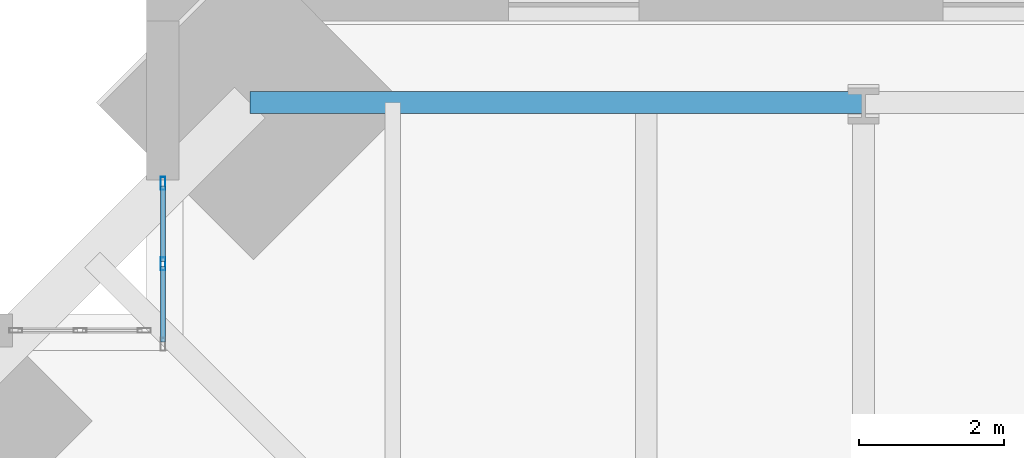
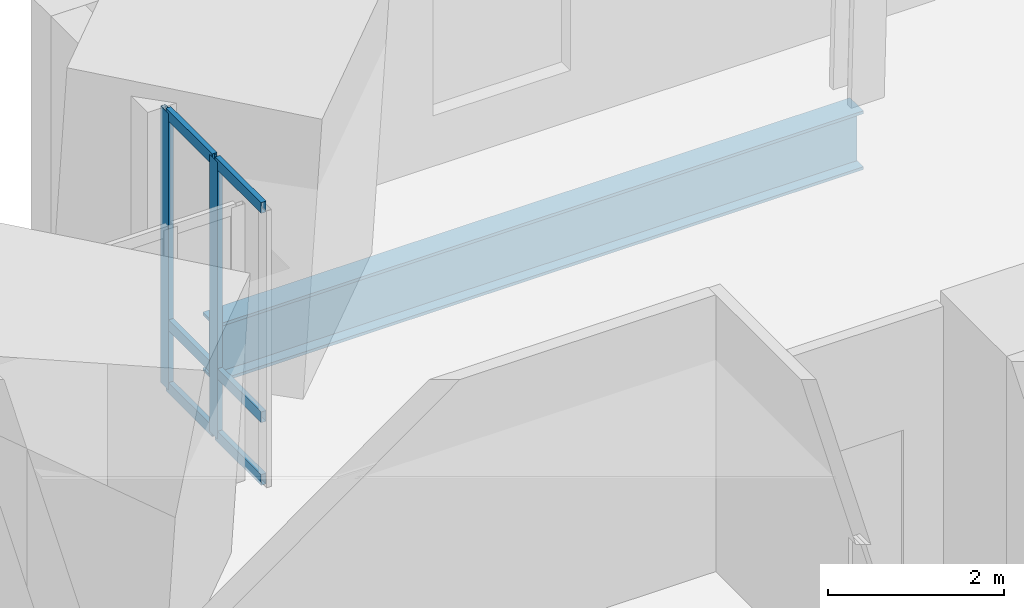
# One storey, part 8 of 18: 8 members, 1 beam, 1 element without a shape of its own.
"""IFC4 building model written with IfcOpenShell, lengths in metres."""

from ifc_helpers import new_model, si_unit, direction, frame, origin, origin_2d, place, context, subcontext, project, spatial, hollow_rectangle, i_section, extrude, material, material_profile, profile_set, type_object, element, aggregate, save


model = new_model("IFC4")

# Units and contexts
model_context = context("Model", 3, precision=1e-05, world=origin(), true_north=direction((0.0, 1.0)))
body_context = subcontext(model_context, "Body", "Model", "MODEL_VIEW")
ifc_project = project(units=[si_unit("LENGTHUNIT", "METRE"), si_unit("AREAUNIT", "SQUARE_METRE"), si_unit("VOLUMEUNIT", "CUBIC_METRE"), si_unit("PLANEANGLEUNIT", "RADIAN"), si_unit("MASSUNIT", "GRAM", prefix="KILO")], contexts=[model_context])

# Site, building, storey
site_placement = place(None, origin())
site = spatial("IfcSite", under=ifc_project, at=site_placement, CompositionType="ELEMENT")
building_placement = place(site_placement, origin())
building = spatial("IfcBuilding", under=site, at=building_placement, Name="Peilmerk Tower", CompositionType="ELEMENT")
storey_placement = place(building_placement, frame((0.0, 0.0, 249.800048828125)))
storey = spatial("IfcBuildingStorey", under=building, at=storey_placement, Name="L55", CompositionType="ELEMENT", Elevation=249.800048828125)

# Beam
ifc_material_1 = material(Name="Steel S355", Category="steel")
ifc_material_profile_1 = material_profile(ifc_material_1, i_section(OverallWidth=0.302978515625, OverallDepth=0.81396484375, WebThickness=0.02099609375, FlangeThickness=0.0400390625, at=origin_2d()), Name="HEM 800")
ifc_profile_set_1 = profile_set([ifc_material_profile_1], Name="Steel S355")
beam_type = type_object("IfcBeamType", Name="B15 HEM 800 edge beam", PredefinedType="SPANDREL", material=ifc_profile_set_1)
beam_placement = place(storey_placement, frame((-8.0, 20.82421875, -0.5771484375), z_axis=(-1.0, 0.0, 0.0), x_axis=(0.0, -1.0, 0.0)))
element("IfcBeam", 1, at=beam_placement, inside=storey, type_object=beam_type, Name="Edge beam L55", PredefinedType="SPANDREL", context=body_context, shape_type="SweptSolid", body=[
    extrude(i_section(OverallWidth=0.302978515625, OverallDepth=0.81396484375, WebThickness=0.02099609375, FlangeThickness=0.0400390625, at=origin_2d()), origin(), (0.0, 0.0, 1.0), 8.47412109375),
])

# Curtain wall, members
ifc_material_2 = material(Name="Aluminium stick curtain wall", Category="aluminium")
curtain_wall_type = type_object("IfcCurtainWallType", Name="CW4 stick curtain wall, 2250 module", PredefinedType="NOTDEFINED", material=ifc_material_2)
curtain_wall_placement = place(storey_placement, origin())
curtain_wall = element("IfcCurtainWall", 2, at=curtain_wall_placement, inside=storey, type_object=curtain_wall_type, Name="Curtain wall CW4 NWA L55", PredefinedType="NOTDEFINED")
ifc_material_3 = material(Name="Aluminium EN AW-6063 T6", Category="aluminium")
ifc_material_profile_2 = material_profile(ifc_material_3, hollow_rectangle(XDim=0.06494140625, YDim=0.179931640625, WallThickness=0.0029296875, at=origin_2d()), Name="AL 180x65x3")
ifc_profile_set_2 = profile_set([ifc_material_profile_2], Name="Aluminium EN AW-6063 T6")
member_type_1 = type_object("IfcMemberType", Name="CW4-M AL 180x65x3 mullion", PredefinedType="MULLION", material=ifc_profile_set_2)
member_1_placement = place(storey_placement, frame((-17.675048828125, 18.59423828125, 0.0), z_axis=(0.0, 0.0, 1.0), x_axis=(-1.0, 0.0, 0.0)))
member_1 = element("IfcMember", 3, at=member_1_placement, type_object=member_type_1, Name="CW4 mullion 2", PredefinedType="MULLION", context=body_context, shape_type="SweptSolid", body=[
    extrude(hollow_rectangle(XDim=0.06494140625, YDim=0.179931640625, WallThickness=0.0029296875, at=origin_2d()), origin(), (0.0, 0.0, 1.0), 3.829833984375),
])
member_2_placement = place(storey_placement, frame((-17.675048828125, 19.706298828125, 0.0), z_axis=(0.0, 0.0, 1.0), x_axis=(-1.0, 0.0, 0.0)))
member_2 = element("IfcMember", 4, at=member_2_placement, type_object=member_type_1, Name="CW4 mullion 3", PredefinedType="MULLION", context=body_context, shape_type="SweptSolid", body=[
    extrude(hollow_rectangle(XDim=0.06494140625, YDim=0.179931640625, WallThickness=0.0029296875, at=origin_2d()), origin(), (0.0, 0.0, 1.0), 3.829833984375),
])
ifc_material_profile_3 = material_profile(ifc_material_3, hollow_rectangle(XDim=0.06494140625, YDim=0.14990234375, WallThickness=0.0029296875, at=origin_2d()), Name="AL 150x65x3")
ifc_profile_set_3 = profile_set([ifc_material_profile_3], Name="Aluminium EN AW-6063 T6")
member_type_2 = type_object("IfcMemberType", Name="CW4-T AL 150x65x3 transom", PredefinedType="USERDEFINED", material=ifc_profile_set_3)
member_3_placement = place(storey_placement, frame((-17.675048828125, 17.514892578125, 0.032470703125), z_axis=(0.0, 1.0, 0.0), x_axis=(-1.0, 0.0, 0.0)))
member_3 = element("IfcMember", 5, at=member_3_placement, type_object=member_type_2, Name="CW4 transom 1.1", ObjectType="TRANSOM", PredefinedType="USERDEFINED", context=body_context, shape_type="SweptSolid", body=[
    extrude(hollow_rectangle(XDim=0.06494140625, YDim=0.14990234375, WallThickness=0.0029296875, at=origin_2d()), origin(), (0.0, 0.0, 1.0), 1.046875),
])
member_4_placement = place(storey_placement, frame((-17.675048828125, 17.514892578125, 0.89990234375), z_axis=(0.0, 1.0, 0.0), x_axis=(-1.0, 0.0, 0.0)))
member_4 = element("IfcMember", 6, at=member_4_placement, type_object=member_type_2, Name="CW4 transom 1.2", ObjectType="TRANSOM", PredefinedType="USERDEFINED", context=body_context, shape_type="SweptSolid", body=[
    extrude(hollow_rectangle(XDim=0.06494140625, YDim=0.14990234375, WallThickness=0.0029296875, at=origin_2d()), origin(), (0.0, 0.0, 1.0), 1.046875),
])
member_5_placement = place(storey_placement, frame((-17.675048828125, 17.514892578125, 3.79736328125), z_axis=(0.0, 1.0, 0.0), x_axis=(-1.0, 0.0, 0.0)))
member_5 = element("IfcMember", 7, at=member_5_placement, type_object=member_type_2, Name="CW4 transom 1.3", ObjectType="TRANSOM", PredefinedType="USERDEFINED", context=body_context, shape_type="SweptSolid", body=[
    extrude(hollow_rectangle(XDim=0.06494140625, YDim=0.14990234375, WallThickness=0.0029296875, at=origin_2d()), origin(), (0.0, 0.0, 1.0), 1.046875),
])
member_6_placement = place(storey_placement, frame((-17.675048828125, 18.626953125, 0.032470703125), z_axis=(0.0, 1.0, 0.0), x_axis=(-1.0, 0.0, 0.0)))
member_6 = element("IfcMember", 8, at=member_6_placement, type_object=member_type_2, Name="CW4 transom 2.1", ObjectType="TRANSOM", PredefinedType="USERDEFINED", context=body_context, shape_type="SweptSolid", body=[
    extrude(hollow_rectangle(XDim=0.06494140625, YDim=0.14990234375, WallThickness=0.0029296875, at=origin_2d()), origin(), (0.0, 0.0, 1.0), 1.046630859375),
])
member_7_placement = place(storey_placement, frame((-17.675048828125, 18.626953125, 0.89990234375), z_axis=(0.0, 1.0, 0.0), x_axis=(-1.0, 0.0, 0.0)))
member_7 = element("IfcMember", 9, at=member_7_placement, type_object=member_type_2, Name="CW4 transom 2.2", ObjectType="TRANSOM", PredefinedType="USERDEFINED", context=body_context, shape_type="SweptSolid", body=[
    extrude(hollow_rectangle(XDim=0.06494140625, YDim=0.14990234375, WallThickness=0.0029296875, at=origin_2d()), origin(), (0.0, 0.0, 1.0), 1.046630859375),
])
member_8_placement = place(storey_placement, frame((-17.675048828125, 18.626953125, 3.79736328125), z_axis=(0.0, 1.0, 0.0), x_axis=(-1.0, 0.0, 0.0)))
member_8 = element("IfcMember", 10, at=member_8_placement, type_object=member_type_2, Name="CW4 transom 2.3", ObjectType="TRANSOM", PredefinedType="USERDEFINED", context=body_context, shape_type="SweptSolid", body=[
    extrude(hollow_rectangle(XDim=0.06494140625, YDim=0.14990234375, WallThickness=0.0029296875, at=origin_2d()), origin(), (0.0, 0.0, 1.0), 1.046630859375),
])
aggregate(curtain_wall, [member_1, member_2, member_3, member_4, member_5, member_6, member_7, member_8])

save(model, "model.ifc")
